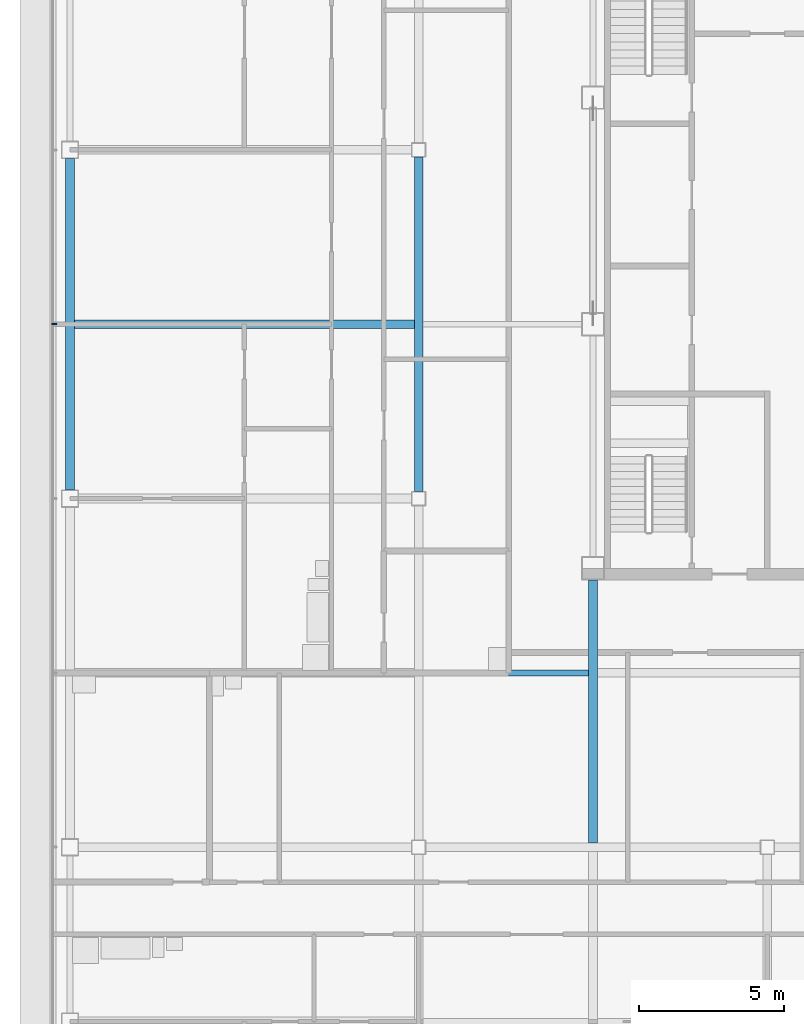
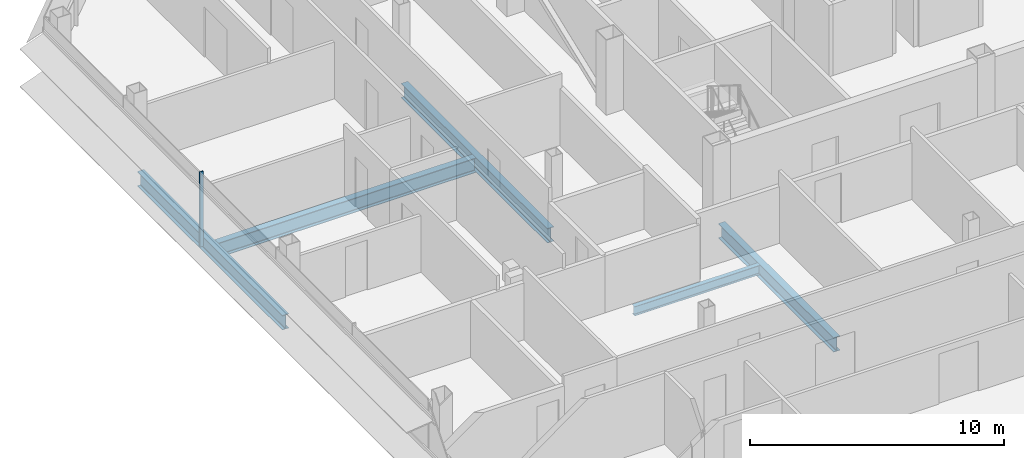
# One storey, part 8 of 30: 5 beams, 1 member, 1 element without a shape of its own.
"""IFC4 building model written with IfcOpenShell, lengths in metres."""

from ifc_helpers import new_model, si_unit, direction, frame, origin, origin_2d, place, context, subcontext, project, spatial, rectangle, i_section, extrude, material, material_profile, profile_set, type_object, element, aggregate, save


model = new_model("IFC4")

# Units and contexts
model_context = context("Model", 3, precision=1e-05, world=origin(), true_north=direction((0.0, 1.0)))
body_context = subcontext(model_context, "Body", "Model", "MODEL_VIEW")
ifc_project = project(units=[si_unit("LENGTHUNIT", "METRE"), si_unit("AREAUNIT", "SQUARE_METRE"), si_unit("VOLUMEUNIT", "CUBIC_METRE"), si_unit("PLANEANGLEUNIT", "RADIAN"), si_unit("MASSUNIT", "GRAM", prefix="KILO")], contexts=[model_context])

# Site, building, storey
site_placement = place(None, origin())
site = spatial("IfcSite", under=ifc_project, at=site_placement, CompositionType="ELEMENT")
building_placement = place(site_placement, origin())
building = spatial("IfcBuilding", under=site, at=building_placement, Name="Sorahane Residences", CompositionType="ELEMENT")
storey_placement = place(building_placement, frame((0.0, 0.0, 263.0)))
storey = spatial("IfcBuildingStorey", under=building, at=storey_placement, Name="L62", CompositionType="ELEMENT", Elevation=263.0)

# Curtain wall, member
ifc_material_1 = material(Name="Dark low-e glass and black anodised aluminium", Category="aluminium")
curtain_wall_type = type_object("IfcCurtainWallType", Name="Curtain wall CW-1 Typical unitised wall", PredefinedType="NOTDEFINED", material=ifc_material_1)
curtain_wall_placement = place(storey_placement, origin())
curtain_wall = element("IfcCurtainWall", 1, at=curtain_wall_placement, inside=storey, type_object=curtain_wall_type, Name="CW-1 curtain wall L62 W2", PredefinedType="NOTDEFINED")
ifc_material_2 = material(Name="Black anodised aluminium", Category="aluminium")
ifc_material_profile_1 = material_profile(ifc_material_2, rectangle(XDim=0.159912109375, YDim=0.050048828125, at=origin_2d()), Name="Curtain wall mullion CW-1 black anodised aluminium 50x160")
ifc_profile_set_1 = profile_set([ifc_material_profile_1], Name="Black anodised aluminium")
member_type = type_object("IfcMemberType", Name="Curtain wall mullion CW-1 black anodised aluminium 50x160", PredefinedType="MULLION", material=ifc_profile_set_1)
member_placement = place(storey_placement, frame((-12.5400390625, 30.0, -0.179931640625), z_axis=(0.0, 0.0, 1.0), x_axis=(-1.0, 0.0, 0.0)))
member = element("IfcMember", 2, at=member_placement, type_object=member_type, Name="CW-1 mullion L62 W2.3", PredefinedType="MULLION", context=body_context, shape_type="SweptSolid", body=[
    extrude(rectangle(XDim=0.159912109375, YDim=0.050048828125, at=origin_2d()), origin(), (0.0, 0.0, 1.0), 3.599853515625),
])
aggregate(curtain_wall, [member])

# Beams
ifc_material_3 = material(Name="Steel Q355B", Category="steel")
ifc_material_profile_2 = material_profile(ifc_material_3, i_section(OverallWidth=0.199951171875, OverallDepth=0.449951171875, WebThickness=0.009033203125, FlangeThickness=0.013916015625, FilletRadius=0.02001953125, at=origin_2d()), Name="HN 450x200x9x14")
ifc_profile_set_2 = profile_set([ifc_material_profile_2], Name="Steel Q355B")
beam_type_1 = type_object("IfcBeamType", Name="Steel floor beam HN 450x200x9x14 Q355B", PredefinedType="BEAM", material=ifc_profile_set_2)
beam_1_placement = place(storey_placement, frame((0.14990234375, 18.0, -0.405029296875), z_axis=(1.0, 0.0, 0.0), x_axis=(0.0, 1.0, 0.0)))
element("IfcBeam", 3, at=beam_1_placement, inside=storey, type_object=beam_type_1, Name="Beam L62 074", PredefinedType="BEAM", context=body_context, shape_type="SweptSolid", body=[
    extrude(i_section(OverallWidth=0.199951171875, OverallDepth=0.449951171875, WebThickness=0.009033203125, FlangeThickness=0.013916015625, FilletRadius=0.02001953125, at=origin_2d()), origin(), (0.0, 0.0, 1.0), 5.7001953125),
])
ifc_material_4 = material(Name="Steel Q355B", Category="steel")
ifc_material_profile_3 = material_profile(ifc_material_4, i_section(OverallWidth=0.300048828125, OverallDepth=0.699951171875, WebThickness=0.012939453125, FlangeThickness=0.02392578125, FilletRadius=0.028076171875, at=origin_2d()), Name="HN 700x300x13x24")
ifc_profile_set_3 = profile_set([ifc_material_profile_3], Name="Steel Q355B")
beam_type_2 = type_object("IfcBeamType", Name="Steel floor beam HN 700x300x13x24 Q355B", PredefinedType="BEAM", material=ifc_profile_set_3)
beam_2_placement = place(storey_placement, frame((-12.0, 24.300048828125, -0.530029296875), z_axis=(0.0, 1.0, 0.0), x_axis=(-1.0, 0.0, 0.0)))
element("IfcBeam", 4, at=beam_2_placement, inside=storey, type_object=beam_type_2, Name="Beam L62 021", PredefinedType="BEAM", context=body_context, shape_type="SweptSolid", body=[
    extrude(i_section(OverallWidth=0.300048828125, OverallDepth=0.699951171875, WebThickness=0.012939453125, FlangeThickness=0.02392578125, FilletRadius=0.028076171875, at=origin_2d()), origin(), (0.0, 0.0, 1.0), 11.39990234375),
])
beam_3_placement = place(storey_placement, frame((0.0, 24.25, -0.530029296875), z_axis=(0.0, 1.0, 0.0), x_axis=(-1.0, 0.0, 0.0)))
element("IfcBeam", 5, at=beam_3_placement, inside=storey, type_object=beam_type_2, Name="Beam L62 025", PredefinedType="BEAM", context=body_context, shape_type="SweptSolid", body=[
    extrude(i_section(OverallWidth=0.300048828125, OverallDepth=0.699951171875, WebThickness=0.012939453125, FlangeThickness=0.02392578125, FilletRadius=0.028076171875, at=origin_2d()), origin(), (0.0, 0.0, 1.0), 11.5),
])
beam_4_placement = place(storey_placement, frame((6.0, 12.14990234375, -0.530029296875), z_axis=(0.0, 1.0, 0.0), x_axis=(-1.0, 0.0, 0.0)))
element("IfcBeam", 6, at=beam_4_placement, inside=storey, type_object=beam_type_2, Name="Beam L62 028", PredefinedType="BEAM", context=body_context, shape_type="SweptSolid", body=[
    extrude(i_section(OverallWidth=0.300048828125, OverallDepth=0.699951171875, WebThickness=0.012939453125, FlangeThickness=0.02392578125, FilletRadius=0.028076171875, at=origin_2d()), origin(), (0.0, 0.0, 1.0), 9.050048828125),
])
beam_5_placement = place(storey_placement, frame((-11.85009765625, 30.0, -0.530029296875), z_axis=(1.0, 0.0, 0.0), x_axis=(0.0, 1.0, 0.0)))
element("IfcBeam", 7, at=beam_5_placement, inside=storey, type_object=beam_type_2, Name="Beam L62 080", PredefinedType="BEAM", context=body_context, shape_type="SweptSolid", body=[
    extrude(i_section(OverallWidth=0.300048828125, OverallDepth=0.699951171875, WebThickness=0.012939453125, FlangeThickness=0.02392578125, FilletRadius=0.028076171875, at=origin_2d()), origin(), (0.0, 0.0, 1.0), 11.7001953125),
])

save(model, "model.ifc")
